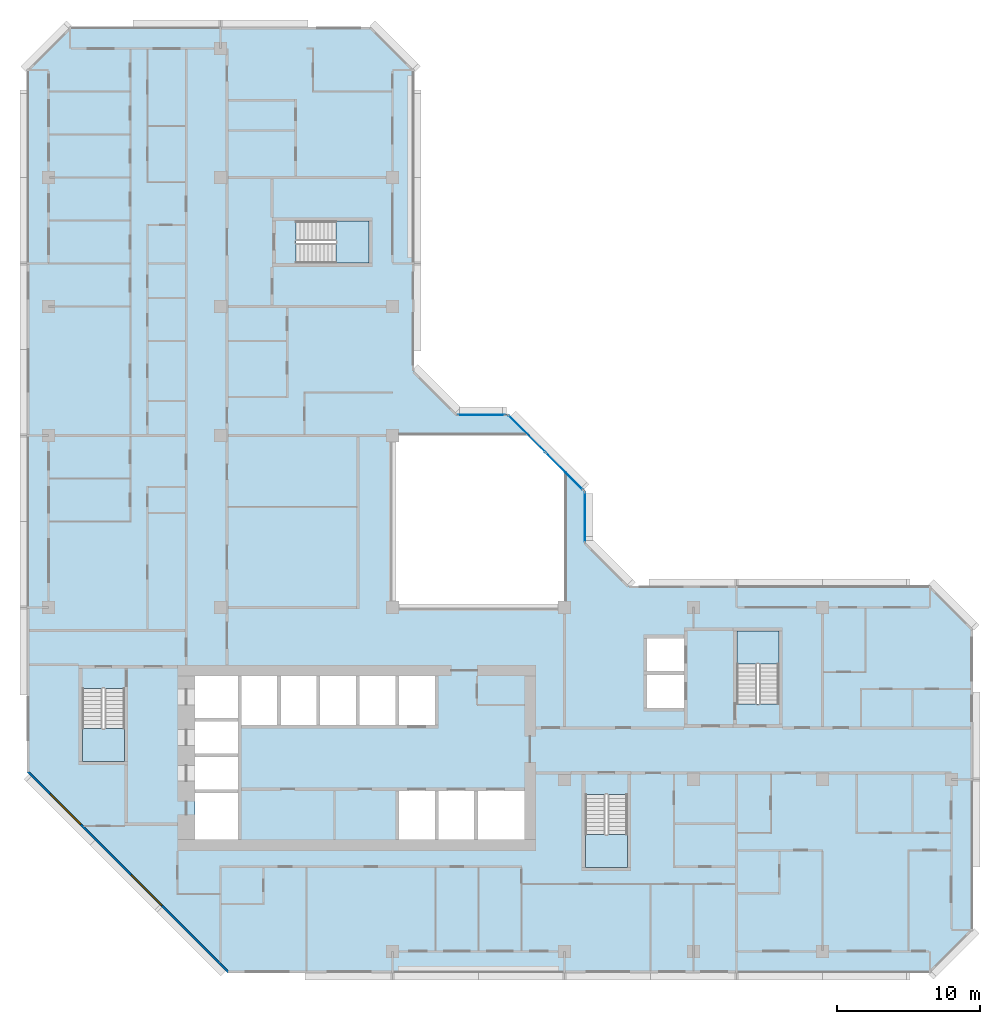
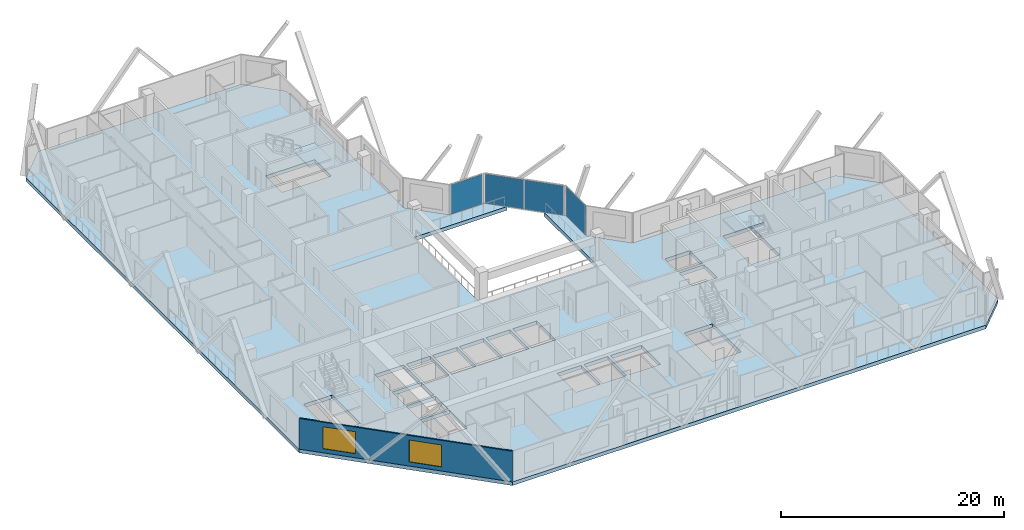
# One storey, part 3 of 15: 5 slabs, 4 plates, 2 windows, 1 wall, 2 openings, 7 elements without a shape of their own.
"""IFC4 building model written with IfcOpenShell, lengths in metres."""

import ifcopenshell
import ifcopenshell.guid

model = None  # the IFC model being written
_history = None  # IfcOwnerHistory: only IFC2X3 demands one
_inside = {}  # id of a spatial element -> (the spatial element, [elements in it])
_under = {}  # id of a project, library or spatial element -> (it, [spatial elements below it])
_declared = {}  # id of a project -> (the project, [libraries it declares])
_typed = {}  # id of a type object -> (the type object, [elements of that type])
_made_of = {}  # id of a material, layer set ... -> (it, [elements and type objects made of it])


def new_model(schema):
    """Start an empty IFC model of exactly this schema.

    Asked for "IFC4X3", IfcOpenShell would pick the latest addendum, in which some entities
    have other attributes; the version numbers below select the first issue.
    IFC2X3 requires an IfcOwnerHistory on every rooted entity: one is made here for all.
    """
    global model, _history
    if schema == "IFC4X3":
        model = ifcopenshell.file(schema_version=(4, 3, 0, 0))
    else:
        model = ifcopenshell.file(schema=schema)
    _inside.clear()
    _under.clear()
    _declared.clear()
    _typed.clear()
    _made_of.clear()
    _history = None
    if model.schema == "IFC2X3":
        org = make("IfcOrganization", Name="unknown")
        user = make(
            "IfcPersonAndOrganization",
            ThePerson=make("IfcPerson", FamilyName="unknown"),
            TheOrganization=org,
        )
        app = make(
            "IfcApplication",
            ApplicationDeveloper=org,
            Version="unknown",
            ApplicationFullName="unknown",
            ApplicationIdentifier="unknown",
        )
        _history = make(
            "IfcOwnerHistory",
            OwningUser=user,
            OwningApplication=app,
            ChangeAction="ADDED",
            CreationDate=0,
        )
    return model


def make(cls, **values):
    """One entity of the class cls with the attributes given. An attribute that is None is left unset."""
    return model.create_entity(
        cls, **{name: value for name, value in values.items() if value is not None}
    )


def rooted(cls, **values):
    """An entity with a GlobalId (a new one), such as an element, a storey or a relation."""
    return make(cls, GlobalId=ifcopenshell.guid.new(), OwnerHistory=_history, **values)


def si_unit(unit_type, name, prefix=None):
    """IfcSIUnit, for example si_unit("LENGTHUNIT", "METRE", prefix="MILLI")."""
    return make("IfcSIUnit", UnitType=unit_type, Prefix=prefix, Name=name)


def assignment(units):
    """IfcUnitAssignment: the units of a project."""
    return None if units is None else make("IfcUnitAssignment", Units=units)


def point(xyz):
    """IfcCartesianPoint."""
    return None if xyz is None else make("IfcCartesianPoint", Coordinates=xyz)


def direction(xyz):
    """IfcDirection."""
    return None if xyz is None else make("IfcDirection", DirectionRatios=xyz)


def frame(location, z_axis=None, x_axis=None):
    """IfcAxis2Placement3D, a coordinate frame: its origin and axes. An axis left out is left unset."""
    return make(
        "IfcAxis2Placement3D",
        Location=point(location),
        Axis=direction(z_axis),
        RefDirection=direction(x_axis),
    )


def frame_2d(location, x_axis=None):
    """IfcAxis2Placement2D, a coordinate frame in the plane: its origin and x axis."""
    return make(
        "IfcAxis2Placement2D", Location=point(location), RefDirection=direction(x_axis)
    )


def origin():
    """The frame at (0, 0, 0) with its axes left unset."""
    return frame((0.0, 0.0, 0.0))


def origin_2d():
    """The frame at (0, 0) in the plane with its x axis left unset."""
    return frame_2d((0.0, 0.0))


def place(relative_to, where):
    """IfcLocalPlacement: puts the frame where relative to a parent placement (None: the world)."""
    return make(
        "IfcLocalPlacement", PlacementRelTo=relative_to, RelativePlacement=where
    )


def context(
    kind, dimensions, precision=None, world=None, true_north=None, identifier=None
):
    """IfcGeometricRepresentationContext, for example the 3D "Model" context."""
    return make(
        "IfcGeometricRepresentationContext",
        ContextIdentifier=identifier,
        ContextType=kind,
        CoordinateSpaceDimension=dimensions,
        Precision=precision,
        WorldCoordinateSystem=world,
        TrueNorth=true_north,
    )


def subcontext(parent, identifier, kind, view, scale=None):
    """IfcGeometricRepresentationSubContext, for example "Body" below "Model"."""
    return make(
        "IfcGeometricRepresentationSubContext",
        ContextIdentifier=identifier,
        ContextType=kind,
        ParentContext=parent,
        TargetScale=scale,
        TargetView=view,
    )


def project(units=None, contexts=None):
    """IfcProject with its units and contexts."""
    return rooted(
        "IfcProject",
        Name="project",
        RepresentationContexts=contexts,
        UnitsInContext=assignment(units),
    )


def spatial(cls, under=None, at=None, **own):
    """A site, building, storey or space (cls), placed at a placement, below another one or the project."""
    s = rooted(cls, ObjectPlacement=at, **own)
    if under is not None:
        _under.setdefault(under.id(), (under, []))[1].append(s)
    return s


def polyline(points):
    """IfcPolyline through the points."""
    return make("IfcPolyline", Points=[point(p) for p in points])


def profile(cls, at=None, kind="AREA", **sizes):
    """A parametric profile (cls). Its sizes go by their IFC names, for example OverallWidth=200.0."""
    return make(cls, ProfileType=kind, Position=at, **sizes)


def rectangle(**sizes):
    """IfcRectangleProfileDef."""
    return profile("IfcRectangleProfileDef", **sizes)


def outline(outer, holes=None, kind="AREA"):
    """IfcArbitraryClosedProfileDef: a profile drawn as a closed curve; with holes, ...WithVoids."""
    if holes is None:
        return make("IfcArbitraryClosedProfileDef", ProfileType=kind, OuterCurve=outer)
    return make(
        "IfcArbitraryProfileDefWithVoids",
        ProfileType=kind,
        OuterCurve=outer,
        InnerCurves=holes,
    )


def extrude(swept, where, along, depth):
    """IfcExtrudedAreaSolid: the profile swept, set in the frame where, extruded along a direction by depth."""
    return make(
        "IfcExtrudedAreaSolid",
        SweptArea=swept,
        Position=where,
        ExtrudedDirection=direction(along),
        Depth=depth,
    )


def shape(context_of_items, identifier, shape_type, items):
    """IfcShapeRepresentation: the items that make up one representation, for example the "Body"."""
    return make(
        "IfcShapeRepresentation",
        ContextOfItems=context_of_items,
        RepresentationIdentifier=identifier,
        RepresentationType=shape_type,
        Items=items,
    )


def material(Name=None, Category=None):
    """IfcMaterial."""
    return make("IfcMaterial", Name=Name, Category=Category)


def layer(
    of_material, thickness, ventilated=None, Name=None, Category=None, Priority=None
):
    """IfcMaterialLayer: one layer of a wall or slab, of a material (None: an air gap)."""
    return make(
        "IfcMaterialLayer",
        Material=of_material,
        LayerThickness=thickness,
        IsVentilated=ventilated,
        Name=Name,
        Category=Category,
        Priority=Priority,
    )


def layer_set(layers, Name=None):
    """IfcMaterialLayerSet."""
    return make("IfcMaterialLayerSet", MaterialLayers=layers, LayerSetName=Name)


def made_of(thing, what):
    """Note that an element or type object is made of a material, layer set ...; save() writes the relation."""
    if what is not None:
        _made_of.setdefault(what.id(), (what, []))[1].append(thing)
    return thing


def type_object(cls, material=None, **own):
    """A type object (cls), such as IfcWallType, which elements share."""
    return made_of(rooted(cls, **own), material)


def element(
    cls,
    number,
    at=None,
    inside=None,
    cuts=None,
    type_object=None,
    material=None,
    context=None,
    identifier="Body",
    shape_type=None,
    held_by="IfcProductDefinitionShape",
    body=None,
    shapes=None,
    **own,
):
    """One element of the class cls, such as IfcWall. Its Tag is "e" and its number.

    at: its placement. inside: the storey or other place that contains it. cuts: it is an
    opening in that element (IfcRelVoidsElement). A single representation is given by context,
    identifier, shape_type and body (its items); several are given by shapes. held_by: the class
    of the entity that holds the representations. save() writes the other relations.
    """
    e = rooted(cls, Tag="e%d" % number, ObjectPlacement=at, **own)
    if body is not None:
        shapes = [shape(context, identifier, shape_type, body)]
    if shapes is not None:
        e.Representation = make(held_by, Representations=shapes)
    if inside is not None:
        _inside.setdefault(inside.id(), (inside, []))[1].append(e)
    if cuts is not None:
        rooted(
            "IfcRelVoidsElement", RelatingBuildingElement=cuts, RelatedOpeningElement=e
        )
    if type_object is not None:
        _typed.setdefault(type_object.id(), (type_object, []))[1].append(e)
    return made_of(e, material)


def fill(opening, filler):
    """IfcRelFillsElement: the door or window that sits in an opening."""
    return rooted(
        "IfcRelFillsElement",
        RelatingOpeningElement=opening,
        RelatedBuildingElement=filler,
    )


def aggregate(whole, parts):
    """IfcRelAggregates: a whole, such as a stair, and the parts it consists of."""
    return rooted("IfcRelAggregates", RelatingObject=whole, RelatedObjects=parts)


def save(model, path):
    """Write the relations noted so far, then the file.

    IfcRelAggregates (storeys below a building ...), IfcRelContainedInSpatialStructure (elements
    in a storey), IfcRelDefinesByType, IfcRelAssociatesMaterial and IfcRelDeclares: one each for
    every whole, place, type object, material and project.
    """
    for whole, parts in _under.values():
        aggregate(whole, parts)
    for where, things in _inside.values():
        rooted(
            "IfcRelContainedInSpatialStructure",
            RelatedElements=things,
            RelatingStructure=where,
        )
    for kind, things in _typed.values():
        rooted("IfcRelDefinesByType", RelatedObjects=things, RelatingType=kind)
    for what, things in _made_of.values():
        rooted("IfcRelAssociatesMaterial", RelatedObjects=things, RelatingMaterial=what)
    for by, libraries in _declared.values():
        rooted("IfcRelDeclares", RelatingContext=by, RelatedDefinitions=libraries)
    model.write(path)


model = new_model("IFC4")

# Units and contexts
model_context = context("Model", 3, precision=1e-05, world=origin(), true_north=direction((0.0, 1.0)))
body_context = subcontext(model_context, "Body", "Model", "MODEL_VIEW")
ifc_project = project(units=[si_unit("LENGTHUNIT", "METRE"), si_unit("AREAUNIT", "SQUARE_METRE"), si_unit("VOLUMEUNIT", "CUBIC_METRE"), si_unit("PLANEANGLEUNIT", "RADIAN"), si_unit("MASSUNIT", "GRAM", prefix="KILO")], contexts=[model_context])

# Site, building, storey
site_placement = place(None, origin())
site = spatial("IfcSite", under=ifc_project, at=site_placement, CompositionType="ELEMENT")
building_placement = place(site_placement, origin())
building = spatial("IfcBuilding", under=site, at=building_placement, Name="Chenar Terraces", CompositionType="ELEMENT")
storey_placement = place(building_placement, frame((0.0, 0.0, 187.39990234375)))
storey = spatial("IfcBuildingStorey", under=building, at=storey_placement, Name="L43", CompositionType="ELEMENT", Elevation=187.39990234375)

# Curtain wall, plate
ifc_material_1 = material(Name="Aluminium framed glazing", Category="aluminium")
ifc_layer_1 = layer(ifc_material_1, 0.14990234375)
ifc_layer_set_1 = layer_set([ifc_layer_1], Name="Aluminium framed glazing")
curtain_wall_type = type_object("IfcCurtainWallType", Name="Atrium mid-zone curtain wall", PredefinedType="NOTDEFINED", material=ifc_layer_set_1)
placement_1 = place(storey_placement, origin())
curtain_wall_1 = element("IfcCurtainWall", 1, at=placement_1, inside=storey, type_object=curtain_wall_type, Name="Atrium mid-zone curtain wall", PredefinedType="NOTDEFINED")
ifc_material_2 = material(Name="Low emissivity laminated glass, solar control coating", Category="glass")
ifc_layer_2 = layer(ifc_material_2, 0.031982421875)
ifc_layer_set_2 = layer_set([ifc_layer_2], Name="Low emissivity laminated glass, solar control coating")
plate_type = type_object("IfcPlateType", Name="Atrium mid-zone glazing panel 32", PredefinedType="CURTAIN_PANEL", material=ifc_layer_set_2)
plate_1_placement = place(storey_placement, frame((37.425048828125, 30.300048828125, 0.070068359375), z_axis=(0.0, 0.0, 1.0), x_axis=(0.0, 1.0, 0.0)))
plate_1 = element("IfcPlate", 2, at=plate_1_placement, type_object=plate_type, Name="CW7-1 panel 1.1", PredefinedType="CURTAIN_PANEL", context=body_context, shape_type="SweptSolid", body=[
    extrude(rectangle(XDim=3.4599609375, YDim=0.031982421875, at=origin_2d()), origin(), (0.0, 0.0, 1.0), 3.2099609375),
])
aggregate(curtain_wall_1, [plate_1])

# Curtain wall, plates
curtain_wall_2 = element("IfcCurtainWall", 3, at=placement_1, inside=storey, type_object=curtain_wall_type, Name="Atrium mid-zone curtain wall", PredefinedType="NOTDEFINED")
plate_2_placement = place(storey_placement, frame((35.978515625, 33.515380859375, 0.070068359375), z_axis=(0.0, 0.0, 1.0), x_axis=(-0.707106781187, 0.707106781187, 0.0)))
plate_2 = element("IfcPlate", 4, at=plate_2_placement, type_object=plate_type, Name="CW7-2 panel 1.1", PredefinedType="CURTAIN_PANEL", context=body_context, shape_type="SweptSolid", body=[
    extrude(rectangle(XDim=3.61328125, YDim=0.031982421875, at=origin_2d()), origin(), (0.0, 0.0, 1.0), 3.2099609375),
])
plate_3_placement = place(storey_placement, frame((33.3740234375, 36.119873046875, 0.070068359375), z_axis=(0.0, 0.0, 1.0), x_axis=(-0.707106781187, 0.707106781187, 0.0)))
plate_3 = element("IfcPlate", 5, at=plate_3_placement, type_object=plate_type, Name="CW7-2 panel 2.1", PredefinedType="CURTAIN_PANEL", context=body_context, shape_type="SweptSolid", body=[
    extrude(rectangle(XDim=3.61328125, YDim=0.031982421875, at=origin_2d()), origin(), (0.0, 0.0, 1.0), 3.2099609375),
])
aggregate(curtain_wall_2, [plate_2, plate_3])

# Curtain wall, plate
curtain_wall_3 = element("IfcCurtainWall", 6, at=placement_1, inside=storey, type_object=curtain_wall_type, Name="Atrium mid-zone curtain wall", PredefinedType="NOTDEFINED")
plate_4_placement = place(storey_placement, frame((30.199951171875, 37.425048828125, 0.070068359375), z_axis=(0.0, 0.0, 1.0), x_axis=(-1.0, 0.0, 0.0)))
plate_4 = element("IfcPlate", 7, at=plate_4_placement, type_object=plate_type, Name="CW7-3 panel 1.1", PredefinedType="CURTAIN_PANEL", context=body_context, shape_type="SweptSolid", body=[
    extrude(rectangle(XDim=3.260009765625, YDim=0.031982421875, at=origin_2d()), origin(), (0.0, 0.0, 1.0), 3.2099609375),
])
aggregate(curtain_wall_3, [plate_4])

# Stair, slab
ifc_material_3 = material(Name="Reinforced concrete C40/50", Category="concrete")
stair_type = type_object("IfcStairType", Name="Core stair 1400 half-turn", PredefinedType="HALF_TURN_STAIR", material=ifc_material_3)
stair_1 = element("IfcStair", 8, at=placement_1, inside=storey, type_object=stair_type, Name="L43 Stair 1", PredefinedType="HALF_TURN_STAIR")
ifc_material_4 = material(Name="Reinforced concrete C40/50", Category="concrete")
ifc_layer_3 = layer(ifc_material_4, 0.199951171875)
ifc_layer_set_3 = layer_set([ifc_layer_3], Name="Reinforced concrete C40/50")
slab_type_1 = type_object("IfcSlabType", Name="Core stair landing 200", PredefinedType="LANDING", material=ifc_layer_set_3)
placement_2 = place(storey_placement, frame((0.0, 0.0, 1.675048828125)))
slab_1 = element("IfcSlab", 9, at=placement_2, type_object=slab_type_1, Name="ST1 landing 1", PredefinedType="LANDING", context=body_context, shape_type="SweptSolid", body=[
    extrude(outline(polyline([(2.35009765625, 15.550048828125), (2.35009765625, 13.25), (5.300048828125, 13.25), (5.300048828125, 15.550048828125), (2.35009765625, 15.550048828125)])), origin(), (0.0, 0.0, 1.0), 0.199951171875),
])
aggregate(stair_1, [slab_1])

stair_2 = element("IfcStair", 10, at=placement_1, inside=storey, type_object=stair_type, Name="L43 Stair 2", PredefinedType="HALF_TURN_STAIR")
slab_2 = element("IfcSlab", 11, at=placement_2, type_object=slab_type_1, Name="ST2 landing 1", PredefinedType="LANDING", context=body_context, shape_type="SweptSolid", body=[
    extrude(outline(polyline([(37.449951171875, 8.14990234375), (37.449951171875, 5.85009765625), (40.39990234375, 5.85009765625), (40.39990234375, 8.14990234375), (37.449951171875, 8.14990234375)])), origin(), (0.0, 0.0, 1.0), 0.199951171875),
])
aggregate(stair_2, [slab_2])

stair_3 = element("IfcStair", 12, at=placement_1, inside=storey, type_object=stair_type, Name="L43 Stair 3", PredefinedType="HALF_TURN_STAIR")
slab_3 = element("IfcSlab", 13, at=placement_2, type_object=slab_type_1, Name="ST3 landing 1", PredefinedType="LANDING", context=body_context, shape_type="SweptSolid", body=[
    extrude(outline(polyline([(50.97509765625, 20.050048828125), (50.97509765625, 22.35009765625), (48.02490234375, 22.35009765625), (48.02490234375, 20.050048828125), (50.97509765625, 20.050048828125)])), origin(), (0.0, 0.0, 1.0), 0.199951171875),
])
aggregate(stair_3, [slab_3])

stair_4 = element("IfcStair", 14, at=placement_1, inside=storey, type_object=stair_type, Name="L43 Stair 4", PredefinedType="HALF_TURN_STAIR")
slab_4 = element("IfcSlab", 15, at=placement_2, type_object=slab_type_1, Name="ST4 landing 1", PredefinedType="LANDING", context=body_context, shape_type="SweptSolid", body=[
    extrude(outline(polyline([(20.050048828125, 48.02490234375), (22.35009765625, 48.02490234375), (22.35009765625, 50.97509765625), (20.050048828125, 50.97509765625), (20.050048828125, 48.02490234375)])), origin(), (0.0, 0.0, 1.0), 0.199951171875),
])
aggregate(stair_4, [slab_4])

# Slab
ifc_material_5 = material(Name="Concrete C40/50", Category="concrete")
ifc_layer_4 = layer(ifc_material_5, 0.39990234375)
ifc_layer_set_4 = layer_set([ifc_layer_4], Name="Concrete C40/50")
slab_type_2 = type_object("IfcSlabType", Name="Floor slab 400 Concrete C40/50", PredefinedType="FLOOR", material=ifc_layer_set_4)
slab_5_placement = place(storey_placement, frame((0.0, 0.0, -0.39990234375)))
element("IfcSlab", 16, at=slab_5_placement, inside=storey, type_object=slab_type_2, Name="Floor slab L43", PredefinedType="FLOOR", context=body_context, shape_type="SweptSolid", body=[
    extrude(outline(polyline([(64.5, 22.5), (64.5, 1.5), (61.5, -1.5), (12.5, -1.5), (-1.5, 12.5), (-1.5, 61.5), (1.5, 64.5), (22.5, 64.5), (25.5, 61.5), (25.5, 40.5), (28.5, 37.5), (32.10009765625, 37.5), (33.60009765625, 36.0), (24.0, 36.0), (24.0, 24.0), (36.0, 24.0), (36.0, 33.60009765625), (37.5, 32.10009765625), (37.5, 28.5), (40.5, 25.5), (61.5, 25.5), (64.5, 22.5)]), holes=[polyline([(13.199951171875, 11.050048828125), (10.199951171875, 11.050048828125), (10.199951171875, 7.800048828125), (13.199951171875, 7.800048828125), (13.199951171875, 11.050048828125)]), polyline([(13.199951171875, 13.550048828125), (10.199951171875, 13.550048828125), (10.199951171875, 11.300048828125), (13.199951171875, 11.300048828125), (13.199951171875, 13.550048828125)]), polyline([(13.199951171875, 16.050048828125), (10.199951171875, 16.050048828125), (10.199951171875, 13.800048828125), (13.199951171875, 13.800048828125), (13.199951171875, 16.050048828125)]), polyline([(2.35009765625, 13.25), (5.300048828125, 13.25), (5.300048828125, 18.35009765625), (2.35009765625, 18.35009765625), (2.35009765625, 13.25)]), polyline([(15.949951171875, 19.199951171875), (13.449951171875, 19.199951171875), (13.449951171875, 15.800048828125), (15.949951171875, 15.800048828125), (15.949951171875, 19.199951171875)]), polyline([(18.699951171875, 19.199951171875), (16.199951171875, 19.199951171875), (16.199951171875, 15.800048828125), (18.699951171875, 15.800048828125), (18.699951171875, 19.199951171875)]), polyline([(21.449951171875, 19.199951171875), (18.949951171875, 19.199951171875), (18.949951171875, 15.800048828125), (21.449951171875, 15.800048828125), (21.449951171875, 19.199951171875)]), polyline([(24.199951171875, 15.800048828125), (24.199951171875, 19.199951171875), (21.699951171875, 19.199951171875), (21.699951171875, 15.800048828125), (24.199951171875, 15.800048828125)]), polyline([(13.199951171875, 16.300048828125), (13.199951171875, 19.199951171875), (10.199951171875, 19.199951171875), (10.199951171875, 16.300048828125), (13.199951171875, 16.300048828125)]), polyline([(22.35009765625, 48.02490234375), (22.35009765625, 50.97509765625), (17.25, 50.97509765625), (17.25, 48.02490234375), (22.35009765625, 48.02490234375)]), polyline([(37.449951171875, 5.85009765625), (40.39990234375, 5.85009765625), (40.39990234375, 10.949951171875), (37.449951171875, 10.949951171875), (37.449951171875, 5.85009765625)]), polyline([(26.949951171875, 11.199951171875), (24.449951171875, 11.199951171875), (24.449951171875, 7.800048828125), (26.949951171875, 7.800048828125), (26.949951171875, 11.199951171875)]), polyline([(29.699951171875, 7.800048828125), (29.699951171875, 11.199951171875), (27.199951171875, 11.199951171875), (27.199951171875, 7.800048828125), (29.699951171875, 7.800048828125)]), polyline([(33.199951171875, 7.800048828125), (33.199951171875, 11.199951171875), (29.949951171875, 11.199951171875), (29.949951171875, 7.800048828125), (33.199951171875, 7.800048828125)]), polyline([(26.949951171875, 19.199951171875), (24.449951171875, 19.199951171875), (24.449951171875, 15.800048828125), (26.949951171875, 15.800048828125), (26.949951171875, 19.199951171875)]), polyline([(44.35009765625, 19.300048828125), (41.75, 19.300048828125), (41.75, 17.0), (44.35009765625, 17.0), (44.35009765625, 19.300048828125)]), polyline([(50.97509765625, 22.35009765625), (48.02490234375, 22.35009765625), (48.02490234375, 17.25), (50.97509765625, 17.25), (50.97509765625, 22.35009765625)]), polyline([(44.35009765625, 19.550048828125), (44.35009765625, 21.85009765625), (41.75, 21.85009765625), (41.75, 19.550048828125), (44.35009765625, 19.550048828125)])]), origin(), (0.0, 0.0, 1.0), 0.39990234375),
])

# Wall, openings, windows
ifc_material_6 = material(Name="Terracotta cladding on insulated backing", Category="masonry")
ifc_layer_5 = layer(ifc_material_6, 0.14990234375)
ifc_layer_set_5 = layer_set([ifc_layer_5], Name="Terracotta cladding on insulated backing")
wall_type = type_object("IfcWallType", Name="Terracotta rainscreen wall 150", PredefinedType="SOLIDWALL", material=ifc_layer_set_5)
wall_placement = place(storey_placement, frame((-1.447021484375, 12.552978515625, 0.0), z_axis=(0.0, 0.0, 1.0), x_axis=(0.707106781187, -0.707106781187, 0.0)))
wall = element("IfcWall", 17, at=wall_placement, inside=storey, type_object=wall_type, Name="Terracotta rainscreen wall", PredefinedType="SOLIDWALL", context=body_context, shape_type="SweptSolid", body=[
    extrude(rectangle(XDim=19.799072265625, YDim=0.14990234375, at=frame_2d((9.8994140625, 0.0))), origin(), (0.0, 0.0, 1.0), 3.35009765625),
])
opening_1_placement = place(wall_placement, frame((2.21240234375, 0.0, 0.449951171875)))
opening_1 = element("IfcOpeningElement", 18, at=opening_1_placement, cuts=wall, Name="Opening W300x240", PredefinedType="OPENING", context=body_context, shape_type="SweptSolid", body=[
    extrude(rectangle(XDim=3.0, YDim=2.39990234375, at=frame_2d((1.5, 1.199951171875))), frame((0.0, 0.0849609375, 0.0), z_axis=(0.0, -1.0, 0.0), x_axis=(1.0, 0.0, 0.0)), (0.0, 0.0, 1.0), 0.169921875),
])
opening_2_placement = place(wall_placement, frame((10.215576171875, 0.0, 0.449951171875)))
opening_2 = element("IfcOpeningElement", 19, at=opening_2_placement, cuts=wall, Name="Opening W300x240", PredefinedType="OPENING", context=body_context, shape_type="SweptSolid", body=[
    extrude(rectangle(XDim=3.0, YDim=2.39990234375, at=frame_2d((1.5, 1.199951171875))), frame((0.0, 0.0849609375, 0.0), z_axis=(0.0, -1.0, 0.0), x_axis=(1.0, 0.0, 0.0)), (0.0, 0.0, 1.0), 0.169921875),
])
ifc_material_7 = material(Name="Low emissivity double glazing, aluminium frame", Category="aluminium")
window_type = type_object("IfcWindowType", Name="Fixed light 3000 x 2400", PartitioningType="SINGLE_PANEL", PredefinedType="WINDOW", material=ifc_material_7)
window_1_placement = place(opening_1_placement, origin())
window_1 = element("IfcWindow", 20, at=window_1_placement, inside=storey, type_object=window_type, Name="Window", OverallHeight=2.39990234375, OverallWidth=3.0, PartitioningType="SINGLE_PANEL", PredefinedType="WINDOW", context=body_context, shape_type="SweptSolid", body=[
    extrude(rectangle(XDim=3.0, YDim=2.39990234375, at=frame_2d((1.5, 1.199951171875))), frame((0.0, 0.030029296875, 0.0), z_axis=(0.0, -1.0, 0.0), x_axis=(1.0, 0.0, 0.0)), (0.0, 0.0, 1.0), 0.06005859375),
])
fill(opening_1, window_1)
window_2_placement = place(opening_2_placement, origin())
window_2 = element("IfcWindow", 21, at=window_2_placement, inside=storey, type_object=window_type, Name="Window", OverallHeight=2.39990234375, OverallWidth=3.0, PartitioningType="SINGLE_PANEL", PredefinedType="WINDOW", context=body_context, shape_type="SweptSolid", body=[
    extrude(rectangle(XDim=3.0, YDim=2.39990234375, at=frame_2d((1.5, 1.199951171875))), frame((0.0, 0.030029296875, 0.0), z_axis=(0.0, -1.0, 0.0), x_axis=(1.0, 0.0, 0.0)), (0.0, 0.0, 1.0), 0.06005859375),
])
fill(opening_2, window_2)

save(model, "model.ifc")
